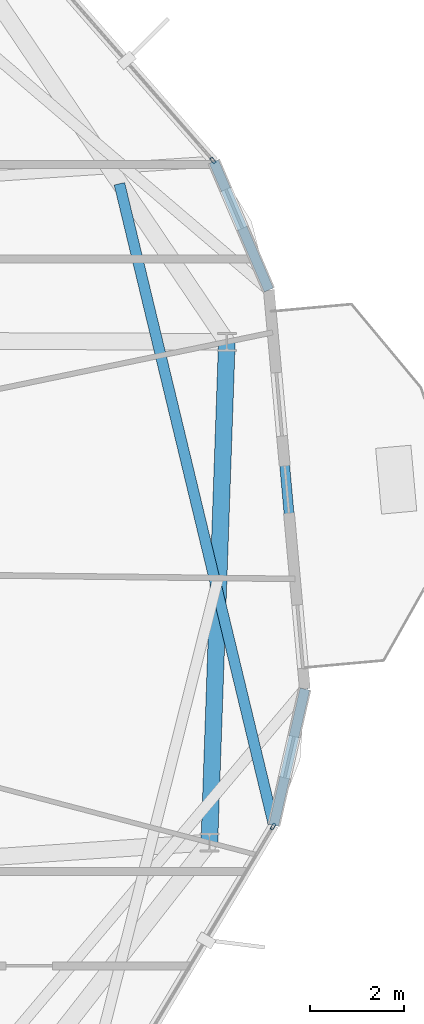
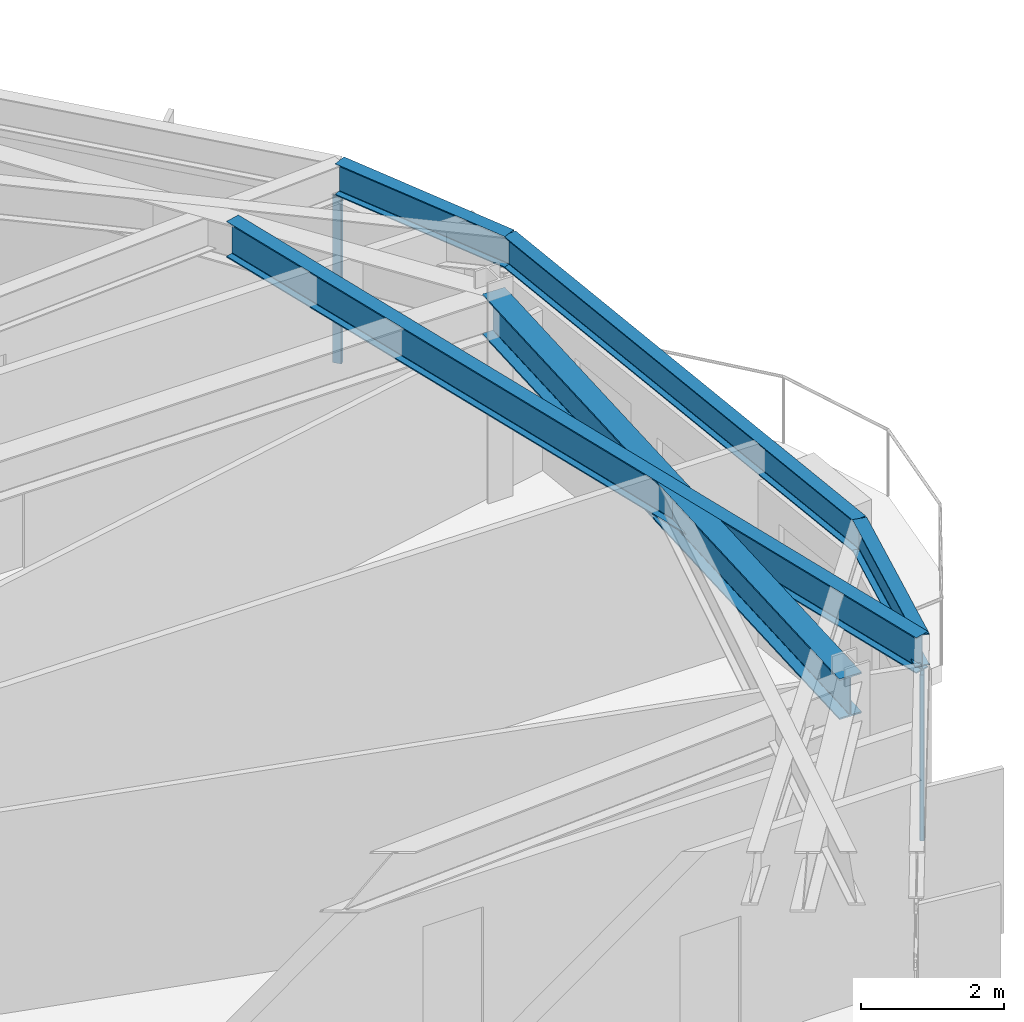
# One storey, part 12 of 23: 5 beams, 2 members, 2 elements without a shape of their own.
"""IFC4 building model written with IfcOpenShell, lengths in metres."""

import ifcopenshell
import ifcopenshell.guid

model = None  # the IFC model being written
_history = None  # IfcOwnerHistory: only IFC2X3 demands one
_inside = {}  # id of a spatial element -> (the spatial element, [elements in it])
_under = {}  # id of a project, library or spatial element -> (it, [spatial elements below it])
_declared = {}  # id of a project -> (the project, [libraries it declares])
_typed = {}  # id of a type object -> (the type object, [elements of that type])
_made_of = {}  # id of a material, layer set ... -> (it, [elements and type objects made of it])


def new_model(schema):
    """Start an empty IFC model of exactly this schema.

    Asked for "IFC4X3", IfcOpenShell would pick the latest addendum, in which some entities
    have other attributes; the version numbers below select the first issue.
    IFC2X3 requires an IfcOwnerHistory on every rooted entity: one is made here for all.
    """
    global model, _history
    if schema == "IFC4X3":
        model = ifcopenshell.file(schema_version=(4, 3, 0, 0))
    else:
        model = ifcopenshell.file(schema=schema)
    _inside.clear()
    _under.clear()
    _declared.clear()
    _typed.clear()
    _made_of.clear()
    _history = None
    if model.schema == "IFC2X3":
        org = make("IfcOrganization", Name="unknown")
        user = make(
            "IfcPersonAndOrganization",
            ThePerson=make("IfcPerson", FamilyName="unknown"),
            TheOrganization=org,
        )
        app = make(
            "IfcApplication",
            ApplicationDeveloper=org,
            Version="unknown",
            ApplicationFullName="unknown",
            ApplicationIdentifier="unknown",
        )
        _history = make(
            "IfcOwnerHistory",
            OwningUser=user,
            OwningApplication=app,
            ChangeAction="ADDED",
            CreationDate=0,
        )
    return model


def make(cls, **values):
    """One entity of the class cls with the attributes given. An attribute that is None is left unset."""
    return model.create_entity(
        cls, **{name: value for name, value in values.items() if value is not None}
    )


def rooted(cls, **values):
    """An entity with a GlobalId (a new one), such as an element, a storey or a relation."""
    return make(cls, GlobalId=ifcopenshell.guid.new(), OwnerHistory=_history, **values)


def si_unit(unit_type, name, prefix=None):
    """IfcSIUnit, for example si_unit("LENGTHUNIT", "METRE", prefix="MILLI")."""
    return make("IfcSIUnit", UnitType=unit_type, Prefix=prefix, Name=name)


def assignment(units):
    """IfcUnitAssignment: the units of a project."""
    return None if units is None else make("IfcUnitAssignment", Units=units)


def point(xyz):
    """IfcCartesianPoint."""
    return None if xyz is None else make("IfcCartesianPoint", Coordinates=xyz)


def direction(xyz):
    """IfcDirection."""
    return None if xyz is None else make("IfcDirection", DirectionRatios=xyz)


def frame(location, z_axis=None, x_axis=None):
    """IfcAxis2Placement3D, a coordinate frame: its origin and axes. An axis left out is left unset."""
    return make(
        "IfcAxis2Placement3D",
        Location=point(location),
        Axis=direction(z_axis),
        RefDirection=direction(x_axis),
    )


def frame_2d(location, x_axis=None):
    """IfcAxis2Placement2D, a coordinate frame in the plane: its origin and x axis."""
    return make(
        "IfcAxis2Placement2D", Location=point(location), RefDirection=direction(x_axis)
    )


def origin():
    """The frame at (0, 0, 0) with its axes left unset."""
    return frame((0.0, 0.0, 0.0))


def origin_2d():
    """The frame at (0, 0) in the plane with its x axis left unset."""
    return frame_2d((0.0, 0.0))


def place(relative_to, where):
    """IfcLocalPlacement: puts the frame where relative to a parent placement (None: the world)."""
    return make(
        "IfcLocalPlacement", PlacementRelTo=relative_to, RelativePlacement=where
    )


def context(
    kind, dimensions, precision=None, world=None, true_north=None, identifier=None
):
    """IfcGeometricRepresentationContext, for example the 3D "Model" context."""
    return make(
        "IfcGeometricRepresentationContext",
        ContextIdentifier=identifier,
        ContextType=kind,
        CoordinateSpaceDimension=dimensions,
        Precision=precision,
        WorldCoordinateSystem=world,
        TrueNorth=true_north,
    )


def subcontext(parent, identifier, kind, view, scale=None):
    """IfcGeometricRepresentationSubContext, for example "Body" below "Model"."""
    return make(
        "IfcGeometricRepresentationSubContext",
        ContextIdentifier=identifier,
        ContextType=kind,
        ParentContext=parent,
        TargetScale=scale,
        TargetView=view,
    )


def project(units=None, contexts=None):
    """IfcProject with its units and contexts."""
    return rooted(
        "IfcProject",
        Name="project",
        RepresentationContexts=contexts,
        UnitsInContext=assignment(units),
    )


def spatial(cls, under=None, at=None, **own):
    """A site, building, storey or space (cls), placed at a placement, below another one or the project."""
    s = rooted(cls, ObjectPlacement=at, **own)
    if under is not None:
        _under.setdefault(under.id(), (under, []))[1].append(s)
    return s


def profile(cls, at=None, kind="AREA", **sizes):
    """A parametric profile (cls). Its sizes go by their IFC names, for example OverallWidth=200.0."""
    return make(cls, ProfileType=kind, Position=at, **sizes)


def hollow_rectangle(**sizes):
    """IfcRectangleHollowProfileDef."""
    return profile("IfcRectangleHollowProfileDef", **sizes)


def i_section(**sizes):
    """IfcIShapeProfileDef."""
    return profile("IfcIShapeProfileDef", **sizes)


def extrude(swept, where, along, depth):
    """IfcExtrudedAreaSolid: the profile swept, set in the frame where, extruded along a direction by depth."""
    return make(
        "IfcExtrudedAreaSolid",
        SweptArea=swept,
        Position=where,
        ExtrudedDirection=direction(along),
        Depth=depth,
    )


def shape(context_of_items, identifier, shape_type, items):
    """IfcShapeRepresentation: the items that make up one representation, for example the "Body"."""
    return make(
        "IfcShapeRepresentation",
        ContextOfItems=context_of_items,
        RepresentationIdentifier=identifier,
        RepresentationType=shape_type,
        Items=items,
    )


def material(Name=None, Category=None):
    """IfcMaterial."""
    return make("IfcMaterial", Name=Name, Category=Category)


def layer(
    of_material, thickness, ventilated=None, Name=None, Category=None, Priority=None
):
    """IfcMaterialLayer: one layer of a wall or slab, of a material (None: an air gap)."""
    return make(
        "IfcMaterialLayer",
        Material=of_material,
        LayerThickness=thickness,
        IsVentilated=ventilated,
        Name=Name,
        Category=Category,
        Priority=Priority,
    )


def layer_set(layers, Name=None):
    """IfcMaterialLayerSet."""
    return make("IfcMaterialLayerSet", MaterialLayers=layers, LayerSetName=Name)


def material_profile(
    of_material, cross_section, Name=None, Category=None, Priority=None
):
    """IfcMaterialProfile: a cross section and its material."""
    return make(
        "IfcMaterialProfile",
        Name=Name,
        Material=of_material,
        Profile=cross_section,
        Priority=Priority,
        Category=Category,
    )


def profile_set(profiles, Name=None, composite=None):
    """IfcMaterialProfileSet."""
    return make(
        "IfcMaterialProfileSet",
        Name=Name,
        MaterialProfiles=profiles,
        CompositeProfile=composite,
    )


def made_of(thing, what):
    """Note that an element or type object is made of a material, layer set ...; save() writes the relation."""
    if what is not None:
        _made_of.setdefault(what.id(), (what, []))[1].append(thing)
    return thing


def type_object(cls, material=None, **own):
    """A type object (cls), such as IfcWallType, which elements share."""
    return made_of(rooted(cls, **own), material)


def element(
    cls,
    number,
    at=None,
    inside=None,
    cuts=None,
    type_object=None,
    material=None,
    context=None,
    identifier="Body",
    shape_type=None,
    held_by="IfcProductDefinitionShape",
    body=None,
    shapes=None,
    **own,
):
    """One element of the class cls, such as IfcWall. Its Tag is "e" and its number.

    at: its placement. inside: the storey or other place that contains it. cuts: it is an
    opening in that element (IfcRelVoidsElement). A single representation is given by context,
    identifier, shape_type and body (its items); several are given by shapes. held_by: the class
    of the entity that holds the representations. save() writes the other relations.
    """
    e = rooted(cls, Tag="e%d" % number, ObjectPlacement=at, **own)
    if body is not None:
        shapes = [shape(context, identifier, shape_type, body)]
    if shapes is not None:
        e.Representation = make(held_by, Representations=shapes)
    if inside is not None:
        _inside.setdefault(inside.id(), (inside, []))[1].append(e)
    if cuts is not None:
        rooted(
            "IfcRelVoidsElement", RelatingBuildingElement=cuts, RelatedOpeningElement=e
        )
    if type_object is not None:
        _typed.setdefault(type_object.id(), (type_object, []))[1].append(e)
    return made_of(e, material)


def aggregate(whole, parts):
    """IfcRelAggregates: a whole, such as a stair, and the parts it consists of."""
    return rooted("IfcRelAggregates", RelatingObject=whole, RelatedObjects=parts)


def save(model, path):
    """Write the relations noted so far, then the file.

    IfcRelAggregates (storeys below a building ...), IfcRelContainedInSpatialStructure (elements
    in a storey), IfcRelDefinesByType, IfcRelAssociatesMaterial and IfcRelDeclares: one each for
    every whole, place, type object, material and project.
    """
    for whole, parts in _under.values():
        aggregate(whole, parts)
    for where, things in _inside.values():
        rooted(
            "IfcRelContainedInSpatialStructure",
            RelatedElements=things,
            RelatingStructure=where,
        )
    for kind, things in _typed.values():
        rooted("IfcRelDefinesByType", RelatedObjects=things, RelatingType=kind)
    for what, things in _made_of.values():
        rooted("IfcRelAssociatesMaterial", RelatedObjects=things, RelatingMaterial=what)
    for by, libraries in _declared.values():
        rooted("IfcRelDeclares", RelatingContext=by, RelatedDefinitions=libraries)
    model.write(path)


model = new_model("IFC4")

# Units and contexts
model_context = context("Model", 3, precision=1e-05, world=origin(), true_north=direction((0.0, 1.0)))
body_context = subcontext(model_context, "Body", "Model", "MODEL_VIEW")
ifc_project = project(units=[si_unit("LENGTHUNIT", "METRE"), si_unit("AREAUNIT", "SQUARE_METRE"), si_unit("VOLUMEUNIT", "CUBIC_METRE"), si_unit("PLANEANGLEUNIT", "RADIAN"), si_unit("MASSUNIT", "GRAM", prefix="KILO")], contexts=[model_context])

# Site, building, storey
site_placement = place(None, origin())
site = spatial("IfcSite", under=ifc_project, at=site_placement, CompositionType="ELEMENT")
building_placement = place(site_placement, origin())
building = spatial("IfcBuilding", under=site, at=building_placement, Name="Soratama Intermodal Tower", CompositionType="ELEMENT")
storey_placement = place(building_placement, frame((0.0, 0.0, 250.0)))
storey = spatial("IfcBuildingStorey", under=building, at=storey_placement, Name="L63", CompositionType="ELEMENT", Elevation=250.0)

# Beams
ifc_material_1 = material(Name="Structural steel ASTM A992 Grade 50", Category="steel")
ifc_material_profile_1 = material_profile(ifc_material_1, i_section(OverallWidth=0.35498046875, OverallDepth=0.695068359375, WebThickness=0.015380859375, FlangeThickness=0.02490234375, FilletRadius=0.01611328125, at=origin_2d()), Name="W27X146")
ifc_profile_set_1 = profile_set([ifc_material_profile_1], Name="Structural steel ASTM A992 Grade 50")
beam_type_1 = type_object("IfcBeamType", Name="BM-RING-W27X146", PredefinedType="BEAM", material=ifc_profile_set_1)
beam_1_placement = place(storey_placement, frame((61.1630859375, 19.116943359375, 3.1025390625), z_axis=(0.034885453879, 0.999391317307, 0.0), x_axis=(-0.999391317307, 0.034885453879, 0.0)))
element("IfcBeam", 1, at=beam_1_placement, inside=storey, type_object=beam_type_1, Name="BM-L63-RING-10", PredefinedType="BEAM", context=body_context, shape_type="SweptSolid", body=[
    extrude(i_section(OverallWidth=0.35498046875, OverallDepth=0.695068359375, WebThickness=0.015380859375, FlangeThickness=0.02490234375, FilletRadius=0.01611328125, at=origin_2d()), origin(), (0.0, 0.0, 1.0), 10.630615234375),
])
ifc_material_2 = material(Name="Structural steel ASTM A992 Grade 50", Category="steel")
ifc_material_profile_2 = material_profile(ifc_material_2, i_section(OverallWidth=0.2099609375, OverallDepth=0.537109375, WebThickness=0.010986328125, FlangeThickness=0.017333984375, FilletRadius=0.012939453125, at=origin_2d()), Name="W21X68")
ifc_profile_set_2 = profile_set([ifc_material_profile_2], Name="Structural steel ASTM A992 Grade 50")
beam_type_2 = type_object("IfcBeamType", Name="BM-SPN-W21X68", PredefinedType="SPANDREL", material=ifc_profile_set_2)
beam_2_placement = place(storey_placement, frame((62.530029296875, 19.48291015625, 3.181396484375), z_axis=(0.222460527486, 0.974941697596, 0.0), x_axis=(-0.974941697596, 0.222460527486, 0.0)))
element("IfcBeam", 2, at=beam_2_placement, inside=storey, type_object=beam_type_2, Name="BS-L63-CRN08", PredefinedType="SPANDREL", context=body_context, shape_type="SweptSolid", body=[
    extrude(i_section(OverallWidth=0.2099609375, OverallDepth=0.537109375, WebThickness=0.010986328125, FlangeThickness=0.017333984375, FilletRadius=0.012939453125, at=origin_2d()), origin(), (0.0, 0.0, 1.0), 2.96630859375),
])
beam_3_placement = place(storey_placement, frame((63.18994140625, 22.375, 3.181396484375), z_axis=(-0.089981566148, 0.995943431001, 0.0), x_axis=(-0.995943431001, -0.089981566148, 0.0)))
element("IfcBeam", 3, at=beam_3_placement, inside=storey, type_object=beam_type_2, Name="BS-L63-F09", PredefinedType="SPANDREL", context=body_context, shape_type="SweptSolid", body=[
    extrude(i_section(OverallWidth=0.2099609375, OverallDepth=0.537109375, WebThickness=0.010986328125, FlangeThickness=0.017333984375, FilletRadius=0.012939453125, at=origin_2d()), origin(), (0.0, 0.0, 1.0), 8.50048828125),
])
beam_4_placement = place(storey_placement, frame((62.425048828125, 30.841064453125, 3.181396484375), z_axis=(-0.393422567073, 0.919357756109, 0.0), x_axis=(-0.919357756109, -0.393422567073, 0.0)))
element("IfcBeam", 4, at=beam_4_placement, inside=storey, type_object=beam_type_2, Name="BS-L63-CRN09", PredefinedType="SPANDREL", context=body_context, shape_type="SweptSolid", body=[
    extrude(i_section(OverallWidth=0.2099609375, OverallDepth=0.537109375, WebThickness=0.010986328125, FlangeThickness=0.017333984375, FilletRadius=0.012939453125, at=origin_2d()), origin(), (0.0, 0.0, 1.0), 2.96630859375),
])
ifc_material_3 = material(Name="Structural steel ASTM A992 Grade 50", Category="steel")
ifc_material_profile_3 = material_profile(ifc_material_3, i_section(OverallWidth=0.22900390625, OverallDepth=0.612060546875, WebThickness=0.011962890625, FlangeThickness=0.01953125, FilletRadius=0.012939453125, at=origin_2d()), Name="W24X84")
ifc_profile_set_3 = profile_set([ifc_material_profile_3], Name="Structural steel ASTM A992 Grade 50")
beam_type_3 = type_object("IfcBeamType", Name="BM-TIE-W24X84", PredefinedType="BEAM", material=ifc_profile_set_3)
beam_5_placement = place(storey_placement, frame((59.2548828125, 33.094970703125, 3.14404296875), z_axis=(0.233930216535, -0.972253389705, 0.0), x_axis=(0.972253389705, 0.233930216535, 0.0)))
element("IfcBeam", 5, at=beam_5_placement, inside=storey, type_object=beam_type_3, Name="BM-L63-TIE1-08", PredefinedType="BEAM", context=body_context, shape_type="SweptSolid", body=[
    extrude(i_section(OverallWidth=0.22900390625, OverallDepth=0.612060546875, WebThickness=0.011962890625, FlangeThickness=0.01953125, FilletRadius=0.012939453125, at=origin_2d()), origin(), (0.0, 0.0, 1.0), 14.00048828125),
])

# Curtain wall, member
ifc_material_4 = material(Name="Double-glazed aluminium curtain wall", Category="aluminium")
ifc_layer = layer(ifc_material_4, 0.159912109375)
ifc_layer_set = layer_set([ifc_layer], Name="Double-glazed aluminium curtain wall")
curtain_wall_type = type_object("IfcCurtainWallType", Name="CW-SYS-5", PredefinedType="NOTDEFINED", material=ifc_layer_set)
curtain_wall_1_placement = place(storey_placement, origin())
curtain_wall_1 = element("IfcCurtainWall", 6, at=curtain_wall_1_placement, inside=storey, type_object=curtain_wall_type, Name="L63 Faceted Curtain Wall F08", PredefinedType="NOTDEFINED")
ifc_material_5 = material(Name="Anodised aluminium AA 6063-T6", Category="aluminium")
ifc_material_profile_4 = material_profile(ifc_material_5, hollow_rectangle(XDim=0.06494140625, YDim=0.139892578125, WallThickness=0.0048828125, InnerFilletRadius=0.0048828125, OuterFilletRadius=0.010009765625, at=origin_2d()), Name="CWM140X65X5")
ifc_profile_set_4 = profile_set([ifc_material_profile_4], Name="Anodised aluminium AA 6063-T6")
member_type = type_object("IfcMemberType", Name="MT-CWM-5", PredefinedType="MULLION", material=ifc_profile_set_4)
member_1_placement = place(storey_placement, frame((62.51513671875, 19.457275390625, 0.0), z_axis=(0.0, 0.0, 1.0), x_axis=(-0.85860167142, 0.512643316385, 0.0)))
member_1 = element("IfcMember", 7, at=member_1_placement, type_object=member_type, Name="CW-5 mullion 2", PredefinedType="MULLION", context=body_context, shape_type="SweptSolid", body=[
    extrude(hollow_rectangle(XDim=0.06494140625, YDim=0.139892578125, WallThickness=0.0048828125, InnerFilletRadius=0.0048828125, OuterFilletRadius=0.010009765625, at=origin_2d()), origin(), (0.0, 0.0, 1.0), 2.8291015625),
])
aggregate(curtain_wall_1, [member_1])

curtain_wall_2_placement = place(storey_placement, origin())
curtain_wall_2 = element("IfcCurtainWall", 8, at=curtain_wall_2_placement, inside=storey, type_object=curtain_wall_type, Name="L63 Faceted Curtain Wall F10", PredefinedType="NOTDEFINED")
member_2_placement = place(storey_placement, frame((61.23876953125, 33.5908203125, 0.0), z_axis=(0.0, 0.0, 1.0), x_axis=(-0.752879070103, -0.658158875805, 0.0)))
member_2 = element("IfcMember", 9, at=member_2_placement, type_object=member_type, Name="CW-5 mullion 1", PredefinedType="MULLION", context=body_context, shape_type="SweptSolid", body=[
    extrude(hollow_rectangle(XDim=0.06494140625, YDim=0.139892578125, WallThickness=0.0048828125, InnerFilletRadius=0.0048828125, OuterFilletRadius=0.010009765625, at=origin_2d()), origin(), (0.0, 0.0, 1.0), 2.8291015625),
])
aggregate(curtain_wall_2, [member_2])

save(model, "model.ifc")
